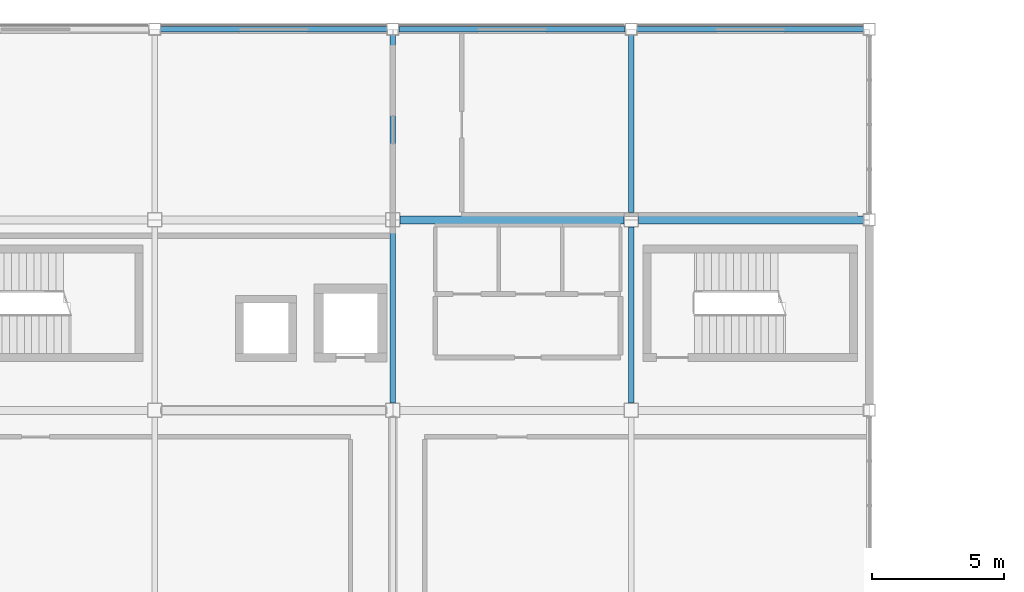
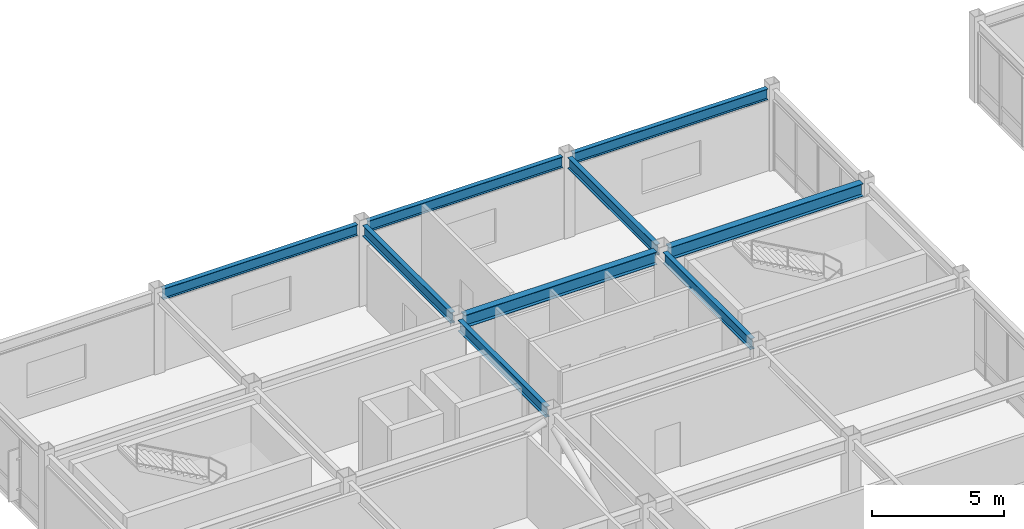
# One storey, part 58 of 122: 9 beams.
"""IFC4 building model written with IfcOpenShell, lengths in metres."""

from ifc_helpers import new_model, si_unit, direction, frame, origin, origin_2d, place, context, subcontext, project, spatial, i_section, extrude, material, material_profile, profile_set, type_object, element, save


model = new_model("IFC4")

# Units and contexts
model_context = context("Model", 3, precision=1e-05, world=origin(), true_north=direction((0.0, 1.0)))
body_context = subcontext(model_context, "Body", "Model", "MODEL_VIEW")
ifc_project = project(units=[si_unit("LENGTHUNIT", "METRE"), si_unit("AREAUNIT", "SQUARE_METRE"), si_unit("VOLUMEUNIT", "CUBIC_METRE"), si_unit("PLANEANGLEUNIT", "RADIAN"), si_unit("MASSUNIT", "GRAM", prefix="KILO")], contexts=[model_context])

# Site, building, storey
site_placement = place(None, origin())
site = spatial("IfcSite", under=ifc_project, at=site_placement, CompositionType="ELEMENT")
building_placement = place(site_placement, origin())
building = spatial("IfcBuilding", under=site, at=building_placement, Name="Kazanami Central Library", CompositionType="ELEMENT")
storey_placement = place(building_placement, frame((0.0, 0.0, 4.800048828125)))
storey = spatial("IfcBuildingStorey", under=building, at=storey_placement, Name="L02", CompositionType="ELEMENT", Elevation=4.800048828125)

# Beams
ifc_material = material(Name="Steel SN490B (325 MPa)", Category="steel")
ifc_material_profile_1 = material_profile(ifc_material, i_section(OverallWidth=0.300048828125, OverallDepth=0.587890625, WebThickness=0.011962890625, FlangeThickness=0.02001953125, at=origin_2d()), Name="H-588x300x12x20")
ifc_profile_set_1 = profile_set([ifc_material_profile_1], Name="Steel SN490B (325 MPa)")
beam_type_1 = type_object("IfcBeamType", Name="BM-G-X2", PredefinedType="BEAM", material=ifc_profile_set_1)
beam_1_placement = place(storey_placement, frame((18.27294921875, 86.39990234375, 3.4609375), z_axis=(1.0, 0.0, 0.0), x_axis=(0.0, 1.0, 0.0)))
element("IfcBeam", 1, at=beam_1_placement, inside=storey, type_object=beam_type_1, Name="Girder G-X2 L02 N/3-4", PredefinedType="BEAM", context=body_context, shape_type="SweptSolid", body=[
    extrude(i_section(OverallWidth=0.300048828125, OverallDepth=0.587890625, WebThickness=0.011962890625, FlangeThickness=0.02001953125, at=origin_2d()), origin(), (0.0, 0.0, 1.0), 8.4541015625),
])
beam_2_placement = place(storey_placement, frame((27.27294921875, 86.39990234375, 3.4609375), z_axis=(1.0, 0.0, 0.0), x_axis=(0.0, 1.0, 0.0)))
element("IfcBeam", 2, at=beam_2_placement, inside=storey, type_object=beam_type_1, Name="Girder G-X2 L02 N/4-5", PredefinedType="BEAM", context=body_context, shape_type="SweptSolid", body=[
    extrude(i_section(OverallWidth=0.300048828125, OverallDepth=0.587890625, WebThickness=0.011962890625, FlangeThickness=0.02001953125, at=origin_2d()), origin(), (0.0, 0.0, 1.0), 8.504150390625),
])
ifc_material_profile_2 = material_profile(ifc_material, i_section(OverallWidth=0.199951171875, OverallDepth=0.5, WebThickness=0.010009765625, FlangeThickness=0.01611328125, at=origin_2d()), Name="H-500x200x10x16")
ifc_profile_set_2 = profile_set([ifc_material_profile_2], Name="Steel SN490B (325 MPa)")
beam_type_2 = type_object("IfcBeamType", Name="BM-G-Y2", PredefinedType="BEAM", material=ifc_profile_set_2)
beam_3_placement = place(storey_placement, frame((18.0, 79.472900390625, 3.5048828125), z_axis=(0.0, 1.0, 0.0), x_axis=(-1.0, 0.0, 0.0)))
element("IfcBeam", 3, at=beam_3_placement, inside=storey, type_object=beam_type_2, Name="Girder G-Y2 L02 3/M-N", PredefinedType="BEAM", context=body_context, shape_type="SweptSolid", body=[
    extrude(i_section(OverallWidth=0.199951171875, OverallDepth=0.5, WebThickness=0.010009765625, FlangeThickness=0.01611328125, at=origin_2d()), origin(), (0.0, 0.0, 1.0), 6.654052734375),
])
beam_4_placement = place(storey_placement, frame((18.0, 86.673095703125, 3.5048828125), z_axis=(0.0, 1.0, 0.0), x_axis=(-1.0, 0.0, 0.0)))
element("IfcBeam", 4, at=beam_4_placement, inside=storey, type_object=beam_type_2, Name="Girder G-Y2 L02 3/N-O", PredefinedType="BEAM", context=body_context, shape_type="SweptSolid", body=[
    extrude(i_section(OverallWidth=0.199951171875, OverallDepth=0.5, WebThickness=0.010009765625, FlangeThickness=0.01611328125, at=origin_2d()), origin(), (0.0, 0.0, 1.0), 6.703857421875),
])
beam_5_placement = place(storey_placement, frame((27.0, 79.472900390625, 3.5048828125), z_axis=(0.0, 1.0, 0.0), x_axis=(-1.0, 0.0, 0.0)))
element("IfcBeam", 5, at=beam_5_placement, inside=storey, type_object=beam_type_2, Name="Girder G-Y2 L02 4/M-N", PredefinedType="BEAM", context=body_context, shape_type="SweptSolid", body=[
    extrude(i_section(OverallWidth=0.199951171875, OverallDepth=0.5, WebThickness=0.010009765625, FlangeThickness=0.01611328125, at=origin_2d()), origin(), (0.0, 0.0, 1.0), 6.654052734375),
])
beam_6_placement = place(storey_placement, frame((27.0, 86.673095703125, 3.5048828125), z_axis=(0.0, 1.0, 0.0), x_axis=(-1.0, 0.0, 0.0)))
element("IfcBeam", 6, at=beam_6_placement, inside=storey, type_object=beam_type_2, Name="Girder G-Y2 L02 4/N-O", PredefinedType="BEAM", context=body_context, shape_type="SweptSolid", body=[
    extrude(i_section(OverallWidth=0.199951171875, OverallDepth=0.5, WebThickness=0.010009765625, FlangeThickness=0.01611328125, at=origin_2d()), origin(), (0.0, 0.0, 1.0), 6.703857421875),
])
ifc_material_profile_3 = material_profile(ifc_material, i_section(OverallWidth=0.199951171875, OverallDepth=0.5, WebThickness=0.010009765625, FlangeThickness=0.01611328125, at=origin_2d()), Name="H-500x200x10x16")
ifc_profile_set_3 = profile_set([ifc_material_profile_3], Name="Steel SN490B (325 MPa)")
beam_type_3 = type_object("IfcBeamType", Name="BM-SP-1", PredefinedType="SPANDREL", material=ifc_profile_set_3)
for number, where, z_axis, x_axis, name in (
    (7, (9.222900390625, 93.60009765625, 3.5048828125), (1.0, 0.0, 0.0), (0.0, 1.0, 0.0), "Girder SP-1 L02 O/2-3"),
    (8, (18.222900390625, 93.60009765625, 3.5048828125), (1.0, 0.0, 0.0), (0.0, 1.0, 0.0), "Girder SP-1 L02 O/3-4"),
    (9, (27.222900390625, 93.60009765625, 3.5048828125), (1.0, 0.0, 0.0), (0.0, 1.0, 0.0), "Girder SP-1 L02 O/4-5"),
):
    element("IfcBeam", number, at=place(storey_placement, frame(where, z_axis=z_axis, x_axis=x_axis)), inside=storey, type_object=beam_type_3, Name=name, PredefinedType="SPANDREL", context=body_context, shape_type="SweptSolid", body=[
        extrude(i_section(OverallWidth=0.199951171875, OverallDepth=0.5, WebThickness=0.010009765625, FlangeThickness=0.01611328125, at=origin_2d()), origin(), (0.0, 0.0, 1.0), 8.55419921875),
    ])

save(model, "model.ifc")
